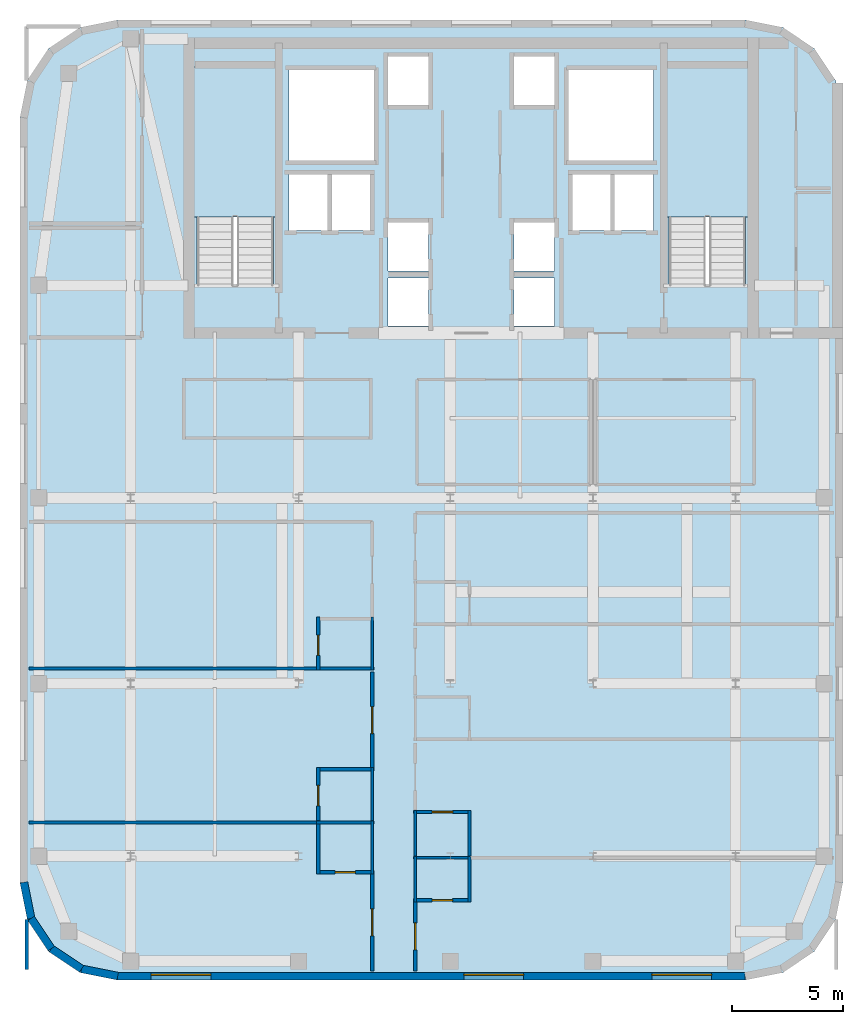
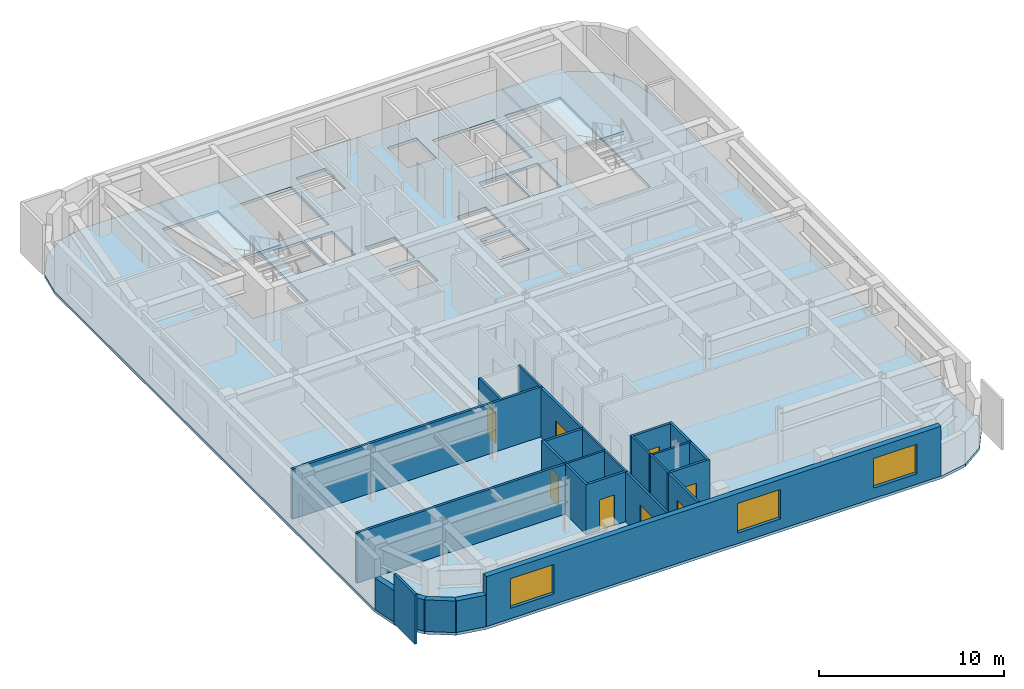
# One storey, part 3 of 8: 27 walls, 8 doors, 3 slabs, 3 windows, 11 openings, 2 elements without a shape of their own.
"""IFC4 building model written with IfcOpenShell, lengths in metres."""

from ifc_helpers import new_model, si_unit, direction, frame, frame_2d, origin, place, context, subcontext, project, spatial, polyline, rectangle, outline, extrude, source, transform, mapped, material, layer, layer_set, type_object, type_shapes, element, fill, aggregate, save


model = new_model("IFC4")

# Units and contexts
model_context = context("Model", 3, precision=1e-05, world=origin(), true_north=direction((0.0, 1.0)))
body_context = subcontext(model_context, "Body", "Model", "MODEL_VIEW")
ifc_project = project(units=[si_unit("LENGTHUNIT", "METRE"), si_unit("AREAUNIT", "SQUARE_METRE"), si_unit("VOLUMEUNIT", "CUBIC_METRE"), si_unit("PLANEANGLEUNIT", "RADIAN"), si_unit("MASSUNIT", "GRAM", prefix="KILO")], contexts=[model_context])

# Site, building, storey
site_placement = place(None, origin())
site = spatial("IfcSite", under=ifc_project, at=site_placement, CompositionType="ELEMENT")
building_placement = place(site_placement, origin())
building = spatial("IfcBuilding", under=site, at=building_placement, Name="Tolvann Quenvar Hotel", CompositionType="ELEMENT")
storey_placement = place(building_placement, frame((0.0, 0.0, 238.10009765625)))
storey = spatial("IfcBuildingStorey", under=building, at=storey_placement, Name="L63", CompositionType="ELEMENT", Elevation=238.10009765625)

# Stair, slab
ifc_material_1 = material(Name="Concrete N40 (40 MPa)", Category="concrete")
stair_type = type_object("IfcStairType", Name="STAIR", PredefinedType="HALF_TURN_STAIR", material=ifc_material_1)
stair_1_placement = place(storey_placement, origin())
stair_1 = element("IfcStair", 1, at=stair_1_placement, inside=storey, type_object=stair_type, Name="L63 ST-C1", PredefinedType="HALF_TURN_STAIR")
ifc_layer_1 = layer(ifc_material_1, 0.199951171875)
ifc_layer_set_1 = layer_set([ifc_layer_1], Name="Concrete N40 (40 MPa)")
slab_type_1 = type_object("IfcSlabType", Name="SLAB_LANDING", PredefinedType="LANDING", material=ifc_layer_set_1)
slab_1_placement = place(storey_placement, frame((0.0, 0.0, 1.574951171875)))
slab_1 = element("IfcSlab", 2, at=slab_1_placement, type_object=slab_type_1, Name="ST-C1 landing 1", PredefinedType="LANDING", context=body_context, shape_type="SweptSolid", body=[
    extrude(outline(polyline([(14.179931640625, 37.10498046875), (14.179931640625, 43.8798828125), (10.469970703125, 43.8798828125), (10.469970703125, 37.10498046875), (14.179931640625, 37.10498046875)])), origin(), (0.0, 0.0, 1.0), 0.199951171875),
])
aggregate(stair_1, [slab_1])

stair_2_placement = place(storey_placement, origin())
stair_2 = element("IfcStair", 3, at=stair_2_placement, inside=storey, type_object=stair_type, Name="L63 ST-C2", PredefinedType="HALF_TURN_STAIR")
slab_2_placement = place(storey_placement, frame((0.0, 0.0, 1.574951171875)))
slab_2 = element("IfcSlab", 4, at=slab_2_placement, type_object=slab_type_1, Name="ST-C2 landing 1", PredefinedType="LANDING", context=body_context, shape_type="SweptSolid", body=[
    extrude(outline(polyline([(35.530029296875, 37.10498046875), (35.530029296875, 43.8798828125), (31.820068359375, 43.8798828125), (31.820068359375, 37.10498046875), (35.530029296875, 37.10498046875)])), origin(), (0.0, 0.0, 1.0), 0.199951171875),
])
aggregate(stair_2, [slab_2])

# Slab
ifc_layer_2 = layer(ifc_material_1, 0.179931640625)
ifc_layer_set_2 = layer_set([ifc_layer_2], Name="Concrete N40 (40 MPa)")
slab_type_2 = type_object("IfcSlabType", Name="SLAB_TWR_180", PredefinedType="FLOOR", material=ifc_layer_set_2)
slab_3_placement = place(storey_placement, frame((0.0, 0.0, -0.18017578125)))
element("IfcSlab", 5, at=slab_3_placement, inside=storey, type_object=slab_type_2, Name="Level L63 Structural Floor Slab", PredefinedType="FLOOR", context=body_context, shape_type="SweptSolid", body=[
    extrude(outline(polyline([(2.60009765625, 7.0), (2.934814453125, 5.316162109375), (3.888671875, 3.888671875), (5.316162109375, 2.934814453125), (7.0, 2.60009765625), (35.39990234375, 2.60009765625), (37.083740234375, 2.934814453125), (38.51123046875, 3.888671875), (39.465087890625, 5.316162109375), (39.800048828125, 7.0), (39.800048828125, 41.60009765625), (39.465087890625, 43.28369140625), (38.51123046875, 44.711181640625), (37.083740234375, 45.6650390625), (35.39990234375, 46.0), (7.0, 46.0), (5.316162109375, 45.6650390625), (3.888671875, 44.711181640625), (2.934814453125, 43.28369140625), (2.60009765625, 41.60009765625), (2.60009765625, 7.0)]), holes=[polyline([(31.949951171875, 34.02490234375), (31.949951171875, 43.800048828125), (35.39990234375, 43.800048828125), (35.39990234375, 34.02490234375), (31.949951171875, 34.02490234375)]), polyline([(27.39990234375, 43.75), (31.25, 43.75), (31.25, 39.64990234375), (27.39990234375, 39.64990234375), (27.39990234375, 43.75)]), polyline([(29.449951171875, 39.02001953125), (31.25, 39.02001953125), (31.25, 36.47998046875), (29.449951171875, 36.47998046875), (29.449951171875, 39.02001953125)]), polyline([(27.574951171875, 39.02001953125), (29.324951171875, 39.02001953125), (29.324951171875, 36.47998046875), (27.574951171875, 36.47998046875), (27.574951171875, 39.02001953125)]), polyline([(24.929931640625, 36.840087890625), (26.77001953125, 36.840087890625), (26.77001953125, 34.659912109375), (24.929931640625, 34.659912109375), (24.929931640625, 36.840087890625)]), polyline([(24.929931640625, 44.340087890625), (26.77001953125, 44.340087890625), (26.77001953125, 42.159912109375), (24.929931640625, 42.159912109375), (24.929931640625, 44.340087890625)]), polyline([(24.929931640625, 32.159912109375), (24.929931640625, 34.340087890625), (26.77001953125, 34.340087890625), (26.77001953125, 32.159912109375), (24.929931640625, 32.159912109375)]), polyline([(19.22998046875, 36.840087890625), (21.070068359375, 36.840087890625), (21.070068359375, 34.659912109375), (19.22998046875, 34.659912109375), (19.22998046875, 36.840087890625)]), polyline([(19.22998046875, 44.340087890625), (21.070068359375, 44.340087890625), (21.070068359375, 42.159912109375), (19.22998046875, 42.159912109375), (19.22998046875, 44.340087890625)]), polyline([(19.22998046875, 32.159912109375), (19.22998046875, 34.340087890625), (21.070068359375, 34.340087890625), (21.070068359375, 32.159912109375), (19.22998046875, 32.159912109375)]), polyline([(14.75, 43.75), (18.60009765625, 43.75), (18.60009765625, 39.64990234375), (14.75, 39.64990234375), (14.75, 43.75)]), polyline([(16.675048828125, 39.02001953125), (18.425048828125, 39.02001953125), (18.425048828125, 36.47998046875), (16.675048828125, 36.47998046875), (16.675048828125, 39.02001953125)]), polyline([(14.75, 39.02001953125), (16.550048828125, 39.02001953125), (16.550048828125, 36.47998046875), (14.75, 36.47998046875), (14.75, 39.02001953125)]), polyline([(10.60009765625, 34.02490234375), (10.60009765625, 43.800048828125), (14.050048828125, 43.800048828125), (14.050048828125, 34.02490234375), (10.60009765625, 34.02490234375)])]), origin(), (0.0, 0.0, 1.0), 0.18017578125),
])

# Walls
ifc_material_2 = material(Name="Kiln-fired red and buff architectural clay brickwork and terracotta masonry", Category="masonry")
ifc_layer_3 = layer(ifc_material_2, 0.35009765625)
ifc_layer_set_3 = layer_set([ifc_layer_3], Name="Kiln-fired red and buff architectural clay brickwork and terracotta masonry")
wall_type_1 = type_object("IfcWallType", Name="WALL_EXT_BRICK_350", PredefinedType="SOLIDWALL", material=ifc_layer_set_3)
for number, where, z_axis, x_axis, name in (
    (6, (3.099609375, 5.384521484375, 0.0), (0.0, 0.0, 1.0), (0.555623290322, -0.831434158098, 0.0), "Exterior Chicago Brick Wall L63-E01"),
    (7, (4.014892578125, 4.014892578125, 0.0), (0.0, 0.0, 1.0), (0.831434158098, -0.555623290322, 0.0), "Exterior Chicago Brick Wall L63-E02"),
):
    element("IfcWall", number, at=place(storey_placement, frame(where, z_axis=z_axis, x_axis=x_axis)), inside=storey, type_object=wall_type_1, Name=name, PredefinedType="SOLIDWALL", context=body_context, shape_type="SweptSolid", body=[
        extrude(rectangle(XDim=1.647216796875, YDim=0.35009765625, at=frame_2d((0.82373046875, 0.0))), origin(), (0.0, 0.0, 1.0), 2.079833984375),
    ])
wall_1_placement = place(storey_placement, frame((5.384521484375, 3.099609375, 0.0), z_axis=(0.0, 0.0, 1.0), x_axis=(0.980788844421, -0.195072403631, 0.0)))
element("IfcWall", 8, at=wall_1_placement, inside=storey, type_object=wall_type_1, Name="Exterior Chicago Brick Wall L63-E03", PredefinedType="SOLIDWALL", context=body_context, shape_type="SweptSolid", body=[
    extrude(rectangle(XDim=1.66455078125, YDim=0.35009765625, at=frame_2d((0.832275390625, 0.0))), origin(), (0.0, 0.0, 1.0), 2.079833984375),
])

# Wall, openings, windows
wall_2_placement = place(storey_placement, frame((7.01708984375, 2.77490234375, 0.0), z_axis=(0.0, 0.0, 1.0), x_axis=(1.0, 0.0, 0.0)))
wall_2 = element("IfcWall", 9, at=wall_2_placement, inside=storey, type_object=wall_type_1, Name="Exterior Chicago Brick Wall L63-E04", PredefinedType="SOLIDWALL", context=body_context, shape_type="SweptSolid", body=[
    extrude(rectangle(XDim=28.36572265625, YDim=0.35009765625, at=frame_2d((14.182861328125, 0.0))), origin(), (0.0, 0.0, 1.0), 3.289794921875),
])
opening_1_placement = place(wall_2_placement, frame((1.513916015625, 0.0, 0.679931640625)))
opening_1 = element("IfcOpeningElement", 10, at=opening_1_placement, cuts=wall_2, Name="Opening W-04", PredefinedType="OPENING", context=body_context, shape_type="SweptSolid", body=[
    extrude(rectangle(XDim=2.699951171875, YDim=1.949951171875, at=frame_2d((1.35009765625, 0.97509765625))), frame((0.0, 0.18505859375, 0.0), z_axis=(0.0, -1.0, 0.0), x_axis=(1.0, 0.0, 0.0)), (0.0, 0.0, 1.0), 0.3701171875),
])
opening_2_placement = place(wall_2_placement, frame((15.64697265625, 0.0, 0.679931640625)))
opening_2 = element("IfcOpeningElement", 11, at=opening_2_placement, cuts=wall_2, Name="Opening W-04", PredefinedType="OPENING", context=body_context, shape_type="SweptSolid", body=[
    extrude(rectangle(XDim=2.699951171875, YDim=1.949951171875, at=frame_2d((1.35009765625, 0.97509765625))), frame((0.0, 0.18505859375, 0.0), z_axis=(0.0, -1.0, 0.0), x_axis=(1.0, 0.0, 0.0)), (0.0, 0.0, 1.0), 0.3701171875),
])
opening_3_placement = place(wall_2_placement, frame((24.152099609375, 0.0, 0.679931640625)))
opening_3 = element("IfcOpeningElement", 12, at=opening_3_placement, cuts=wall_2, Name="Opening W-04", PredefinedType="OPENING", context=body_context, shape_type="SweptSolid", body=[
    extrude(rectangle(XDim=2.699951171875, YDim=1.949951171875, at=frame_2d((1.35009765625, 0.97509765625))), frame((0.0, 0.18505859375, 0.0), z_axis=(0.0, -1.0, 0.0), x_axis=(1.0, 0.0, 0.0)), (0.0, 0.0, 1.0), 0.3701171875),
])
ifc_material_3 = material(Name="Thermally broken bronze-anodised aluminium frame with double low-E glazing", Category="aluminium")
window_type = type_object("IfcWindowType", Name="WIN_STE_2700x2150", PartitioningType="TRIPLE_PANEL_HORIZONTAL", PredefinedType="WINDOW", material=ifc_material_3)
shared_shape_1 = source(origin(), body_context, "Body", "SweptSolid", [
    extrude(rectangle(XDim=2.699951171875, YDim=1.949951171875, at=frame_2d((1.35009765625, 0.97509765625))), frame((0.0, 0.090087890625, 0.0), z_axis=(0.0, -1.0, 0.0), x_axis=(1.0, 0.0, 0.0)), (0.0, 0.0, 1.0), 0.06005859375),
])
type_shapes(window_type, [shared_shape_1])
window_1_placement = place(opening_1_placement, origin())
window_1 = element("IfcWindow", 13, at=window_1_placement, inside=storey, type_object=window_type, Name="Chicago Window W-04 (EW-L63-E04-W01)", OverallHeight=1.949951171875, OverallWidth=2.699951171875, PartitioningType="TRIPLE_PANEL_HORIZONTAL", PredefinedType="WINDOW", context=body_context, shape_type="MappedRepresentation", body=[
    mapped(shared_shape_1, transform((0.0, 0.0, 0.0), x_axis=(1.0, 0.0, 0.0), y_axis=(0.0, 1.0, 0.0), z_axis=(0.0, 0.0, 1.0), scale=1.0)),
])
fill(opening_1, window_1)
window_2_placement = place(opening_2_placement, origin())
window_2 = element("IfcWindow", 14, at=window_2_placement, inside=storey, type_object=window_type, Name="Chicago Window W-04 (EW-L63-E04-W02)", OverallHeight=1.949951171875, OverallWidth=2.699951171875, PartitioningType="TRIPLE_PANEL_HORIZONTAL", PredefinedType="WINDOW", context=body_context, shape_type="MappedRepresentation", body=[
    mapped(shared_shape_1, transform((0.0, 0.0, 0.0), x_axis=(1.0, 0.0, 0.0), y_axis=(0.0, 1.0, 0.0), z_axis=(0.0, 0.0, 1.0), scale=1.0)),
])
fill(opening_2, window_2)
window_3_placement = place(opening_3_placement, origin())
window_3 = element("IfcWindow", 15, at=window_3_placement, inside=storey, type_object=window_type, Name="Chicago Window W-04 (EW-L63-E04-W03)", OverallHeight=1.949951171875, OverallWidth=2.699951171875, PartitioningType="TRIPLE_PANEL_HORIZONTAL", PredefinedType="WINDOW", context=body_context, shape_type="MappedRepresentation", body=[
    mapped(shared_shape_1, transform((0.0, 0.0, 0.0), x_axis=(1.0, 0.0, 0.0), y_axis=(0.0, 1.0, 0.0), z_axis=(0.0, 0.0, 1.0), scale=1.0)),
])
fill(opening_3, window_3)

# Walls
wall_3_placement = place(storey_placement, frame((2.77490234375, 7.01708984375, 0.0), z_axis=(0.0, 0.0, 1.0), x_axis=(0.195072403631, -0.980788844421, 0.0)))
element("IfcWall", 16, at=wall_3_placement, inside=storey, type_object=wall_type_1, Name="Exterior Chicago Brick Wall L63-E20", PredefinedType="SOLIDWALL", context=body_context, shape_type="SweptSolid", body=[
    extrude(rectangle(XDim=1.66455078125, YDim=0.35009765625, at=frame_2d((0.832275390625, 0.0))), origin(), (0.0, 0.0, 1.0), 2.079833984375),
])
ifc_material_4 = material(Name="Moisture-resistant acoustic plumbing wall assembly")
ifc_layer_4 = layer(ifc_material_4, 0.1201171875)
ifc_layer_set_4 = layer_set([ifc_layer_4], Name="Moisture-resistant acoustic plumbing wall assembly")
wall_type_2 = type_object("IfcWallType", Name="WALL_PART_BATH_120", PredefinedType="PLUMBINGWALL", material=ifc_layer_set_4)
wall_4_placement = place(storey_placement, frame((16.010009765625, 9.719970703125, 0.0), z_axis=(0.0, 0.0, 1.0), x_axis=(1.0, 0.0, 0.0)))
element("IfcWall", 17, at=wall_4_placement, inside=storey, type_object=wall_type_2, Name="Non-Rated Plumbing Partition PT-SPC-L63-ENS-WO01-N", PredefinedType="PLUMBINGWALL", context=body_context, shape_type="SweptSolid", body=[
    extrude(rectangle(XDim=2.590087890625, YDim=0.1201171875, at=frame_2d((1.294921875, 0.0))), origin(), (0.0, 0.0, 1.0), 3.289794921875),
])
wall_5_placement = place(storey_placement, frame((18.530029296875, 7.39990234375, 0.0), z_axis=(0.0, 0.0, 1.0), x_axis=(0.0, 1.0, 0.0)))
element("IfcWall", 18, at=wall_5_placement, inside=storey, type_object=wall_type_2, Name="Non-Rated Plumbing Partition PT-SPC-L63-ENS-WO01-E", PredefinedType="PLUMBINGWALL", context=body_context, shape_type="SweptSolid", body=[
    extrude(rectangle(XDim=2.39013671875, YDim=0.1201171875, at=frame_2d((1.195068359375, 0.0))), origin(), (0.0, 0.0, 1.0), 3.289794921875),
])
for number, where, z_axis, x_axis, name in (
    (19, (18.530029296875, 9.81005859375, 0.0), (0.0, 0.0, 1.0), (0.0, 1.0, 0.0), "Non-Rated Plumbing Partition PT-SPC-L63-ENS-WO02-E"),
    (20, (18.530029296875, 16.610107421875, 0.0), (0.0, 0.0, 1.0), (0.0, 1.0, 0.0), "Non-Rated Plumbing Partition PT-SPC-L63-ENS-WO03-E"),
):
    element("IfcWall", number, at=place(storey_placement, frame(where, z_axis=z_axis, x_axis=x_axis)), inside=storey, type_object=wall_type_2, Name=name, PredefinedType="PLUMBINGWALL", context=body_context, shape_type="SweptSolid", body=[
        extrude(rectangle(XDim=2.389892578125, YDim=0.1201171875, at=frame_2d((1.19482421875, 0.0))), origin(), (0.0, 0.0, 1.0), 3.289794921875),
    ])
wall_6_placement = place(storey_placement, frame((20.39990234375, 8.1201171875, 0.0), z_axis=(0.0, 0.0, 1.0), x_axis=(1.0, 0.0, 0.0)))
element("IfcWall", 21, at=wall_6_placement, inside=storey, type_object=wall_type_2, Name="Non-Rated Plumbing Partition PT-SPC-L63-ENS-EO01-N", PredefinedType="PLUMBINGWALL", context=body_context, shape_type="SweptSolid", body=[
    extrude(rectangle(XDim=2.590087890625, YDim=0.1201171875, at=frame_2d((1.294921875, 0.0))), origin(), (0.0, 0.0, 1.0), 3.289794921875),
])
for number, where, z_axis, x_axis, name in (
    (22, (20.469970703125, 6.135009765625, 0.0), (0.0, 0.0, 1.0), (0.0, 1.0, 0.0), "Non-Rated Plumbing Partition PT-SPC-L63-ENS-EO01-W"),
    (23, (20.469970703125, 8.2099609375, 0.0), (0.0, 0.0, 1.0), (0.0, 1.0, 0.0), "Non-Rated Plumbing Partition PT-SPC-L63-ENS-EO02-W"),
):
    element("IfcWall", number, at=place(storey_placement, frame(where, z_axis=z_axis, x_axis=x_axis)), inside=storey, type_object=wall_type_2, Name=name, PredefinedType="PLUMBINGWALL", context=body_context, shape_type="SweptSolid", body=[
        extrude(rectangle(XDim=2.054931640625, YDim=0.1201171875, at=frame_2d((1.02734375, 0.0))), origin(), (0.0, 0.0, 1.0), 3.289794921875),
    ])
ifc_material_5 = material(Name="Acoustic twin-stud fire-rated gypsum plasterboard partition")
ifc_layer_5 = layer(ifc_material_5, 0.14990234375)
ifc_layer_set_5 = layer_set([ifc_layer_5], Name="Acoustic twin-stud fire-rated gypsum plasterboard partition")
wall_type_3 = type_object("IfcWallType", Name="WALL_PART_SUITE_150", PredefinedType="PARTITIONING", material=ifc_layer_set_5)
wall_7_placement = place(storey_placement, frame((16.080078125, 7.39990234375, 0.0), z_axis=(0.0, 0.0, 1.0), x_axis=(0.0, 1.0, 0.0)))
element("IfcWall", 24, at=wall_7_placement, inside=storey, type_object=wall_type_3, Name="Interior Partition PT-SPC-L63-ENS-WO01-ENT", PredefinedType="PARTITIONING", context=body_context, shape_type="SweptSolid", body=[
    extrude(rectangle(XDim=2.39013671875, YDim=0.14990234375, at=frame_2d((1.195068359375, 0.0))), origin(), (0.0, 0.0, 1.0), 3.289794921875),
])

# Wall, opening, door
wall_8_placement = place(storey_placement, frame((16.010009765625, 7.469970703125, 0.0), z_axis=(0.0, 0.0, 1.0), x_axis=(1.0, 0.0, 0.0)))
wall_8 = element("IfcWall", 25, at=wall_8_placement, inside=storey, type_object=wall_type_3, Name="Interior Partition PT-SPC-L63-ENS-WO01-S", PredefinedType="PARTITIONING", context=body_context, shape_type="SweptSolid", body=[
    extrude(rectangle(XDim=2.590087890625, YDim=0.14990234375, at=frame_2d((1.294921875, 0.0))), origin(), (0.0, 0.0, 1.0), 3.289794921875),
])
opening_4_placement = place(wall_8_placement, frame((0.8349609375, 0.0, 0.0)))
opening_4 = element("IfcOpeningElement", 26, at=opening_4_placement, cuts=wall_8, Name="Opening WD-01", PredefinedType="OPENING", context=body_context, shape_type="SweptSolid", body=[
    extrude(rectangle(XDim=0.919921875, YDim=2.010009765625, at=frame_2d((0.4599609375, 1.0048828125))), frame((0.0, 0.0849609375, 0.0), z_axis=(0.0, -1.0, 0.0), x_axis=(1.0, 0.0, 0.0)), (0.0, 0.0, 1.0), 0.169921875),
])
ifc_material_6 = material(Name="Solid-core American oak acoustic fire door leaf in steel frame", Category="steel")
door_type_1 = type_object("IfcDoorType", Name="DOOR_WC_920", OperationType="NOTDEFINED", PredefinedType="DOOR", material=ifc_material_6)
shared_shape_2 = source(origin(), body_context, "Body", "SweptSolid", [
    extrude(rectangle(XDim=0.919921875, YDim=2.010009765625, at=frame_2d((0.4599609375, 1.0048828125))), frame((0.0, 0.02490234375, 0.0), z_axis=(0.0, -1.0, 0.0), x_axis=(1.0, 0.0, 0.0)), (0.0, 0.0, 1.0), 0.050048828125),
])
type_shapes(door_type_1, [shared_shape_2])
door_1_placement = place(opening_4_placement, origin())
door_1 = element("IfcDoor", 27, at=door_1_placement, inside=storey, type_object=door_type_1, Name="Interior Door DOOR-SPC-L63-ENS-WO01", OperationType="SINGLE_SWING_RIGHT", OverallHeight=2.010009765625, OverallWidth=0.919921875, PredefinedType="DOOR", context=body_context, shape_type="MappedRepresentation", body=[
    mapped(shared_shape_2, transform((0.0, 0.0, 0.0), x_axis=(1.0, 0.0, 0.0), y_axis=(0.0, 1.0, 0.0), z_axis=(0.0, 0.0, 1.0), scale=1.0)),
])
fill(opening_4, door_1)

wall_9_placement = place(storey_placement, frame((16.080078125, 9.81005859375, 0.0), z_axis=(0.0, 0.0, 1.0), x_axis=(0.0, 1.0, 0.0)))
wall_9 = element("IfcWall", 28, at=wall_9_placement, inside=storey, type_object=wall_type_3, Name="Interior Partition PT-SPC-L63-ENS-WO02-ENT", PredefinedType="PARTITIONING", context=body_context, shape_type="SweptSolid", body=[
    extrude(rectangle(XDim=2.389892578125, YDim=0.14990234375, at=frame_2d((1.19482421875, 0.0))), origin(), (0.0, 0.0, 1.0), 3.289794921875),
])
opening_5_placement = place(wall_9_placement, frame((0.6650390625, 0.0, 0.0)))
opening_5 = element("IfcOpeningElement", 29, at=opening_5_placement, cuts=wall_9, Name="Opening WD-01", PredefinedType="OPENING", context=body_context, shape_type="SweptSolid", body=[
    extrude(rectangle(XDim=0.919921875, YDim=2.010009765625, at=frame_2d((0.4599609375, 1.0048828125))), frame((0.0, 0.0849609375, 0.0), z_axis=(0.0, -1.0, 0.0), x_axis=(1.0, 0.0, 0.0)), (0.0, 0.0, 1.0), 0.169921875),
])
door_2_placement = place(opening_5_placement, origin())
door_2 = element("IfcDoor", 30, at=door_2_placement, inside=storey, type_object=door_type_1, Name="Interior Door DOOR-SPC-L63-ENS-WO02", OperationType="SINGLE_SWING_LEFT", OverallHeight=2.010009765625, OverallWidth=0.919921875, PredefinedType="DOOR", context=body_context, shape_type="MappedRepresentation", body=[
    mapped(shared_shape_2, transform((0.0, 0.0, 0.0), x_axis=(1.0, 0.0, 0.0), y_axis=(0.0, 1.0, 0.0), z_axis=(0.0, 0.0, 1.0), scale=1.0)),
])
fill(opening_5, door_2)

# Wall
wall_10_placement = place(storey_placement, frame((16.010009765625, 12.1298828125, 0.0), z_axis=(0.0, 0.0, 1.0), x_axis=(1.0, 0.0, 0.0)))
element("IfcWall", 31, at=wall_10_placement, inside=storey, type_object=wall_type_3, Name="Interior Partition PT-SPC-L63-ENS-WO02-N", PredefinedType="PARTITIONING", context=body_context, shape_type="SweptSolid", body=[
    extrude(rectangle(XDim=2.590087890625, YDim=0.14990234375, at=frame_2d((1.294921875, 0.0))), origin(), (0.0, 0.0, 1.0), 3.289794921875),
])

# Wall, opening, door
wall_11_placement = place(storey_placement, frame((16.080078125, 16.610107421875, 0.0), z_axis=(0.0, 0.0, 1.0), x_axis=(0.0, 1.0, 0.0)))
wall_11 = element("IfcWall", 32, at=wall_11_placement, inside=storey, type_object=wall_type_3, Name="Interior Partition PT-SPC-L63-ENS-WO03-ENT", PredefinedType="PARTITIONING", context=body_context, shape_type="SweptSolid", body=[
    extrude(rectangle(XDim=2.389892578125, YDim=0.14990234375, at=frame_2d((1.19482421875, 0.0))), origin(), (0.0, 0.0, 1.0), 3.289794921875),
])
opening_6_placement = place(wall_11_placement, frame((0.6650390625, 0.0, 0.0)))
opening_6 = element("IfcOpeningElement", 33, at=opening_6_placement, cuts=wall_11, Name="Opening WD-01", PredefinedType="OPENING", context=body_context, shape_type="SweptSolid", body=[
    extrude(rectangle(XDim=0.919921875, YDim=2.010009765625, at=frame_2d((0.4599609375, 1.0048828125))), frame((0.0, 0.0849609375, 0.0), z_axis=(0.0, -1.0, 0.0), x_axis=(1.0, 0.0, 0.0)), (0.0, 0.0, 1.0), 0.169921875),
])
door_3_placement = place(opening_6_placement, origin())
door_3 = element("IfcDoor", 34, at=door_3_placement, inside=storey, type_object=door_type_1, Name="Interior Door DOOR-SPC-L63-ENS-WO03", OperationType="SINGLE_SWING_RIGHT", OverallHeight=2.010009765625, OverallWidth=0.919921875, PredefinedType="DOOR", context=body_context, shape_type="MappedRepresentation", body=[
    mapped(shared_shape_2, transform((0.0, 0.0, 0.0), x_axis=(1.0, 0.0, 0.0), y_axis=(0.0, 1.0, 0.0), z_axis=(0.0, 0.0, 1.0), scale=1.0)),
])
fill(opening_6, door_3)

# Walls
wall_12_placement = place(storey_placement, frame((3.0048828125, 16.679931640625, 0.0), z_axis=(0.0, 0.0, 1.0), x_axis=(1.0, 0.0, 0.0)))
element("IfcWall", 35, at=wall_12_placement, inside=storey, type_object=wall_type_3, Name="Interior Partition PT-SPC-L63-ENS-WO03-S", PredefinedType="PARTITIONING", context=body_context, shape_type="SweptSolid", body=[
    extrude(rectangle(XDim=15.59521484375, YDim=0.14990234375, at=frame_2d((7.797607421875, 0.0))), origin(), (0.0, 0.0, 1.0), 3.289794921875),
])
wall_13_placement = place(storey_placement, frame((22.919921875, 6.135009765625, 0.0), z_axis=(0.0, 0.0, 1.0), x_axis=(0.0, 1.0, 0.0)))
element("IfcWall", 36, at=wall_13_placement, inside=storey, type_object=wall_type_3, Name="Interior Partition PT-SPC-L63-ENS-EO01-ENT", PredefinedType="PARTITIONING", context=body_context, shape_type="SweptSolid", body=[
    extrude(rectangle(XDim=2.054931640625, YDim=0.14990234375, at=frame_2d((1.02734375, 0.0))), origin(), (0.0, 0.0, 1.0), 3.289794921875),
])

# Wall, opening, door
wall_14_placement = place(storey_placement, frame((20.39990234375, 6.205078125, 0.0), z_axis=(0.0, 0.0, 1.0), x_axis=(1.0, 0.0, 0.0)))
wall_14 = element("IfcWall", 37, at=wall_14_placement, inside=storey, type_object=wall_type_3, Name="Interior Partition PT-SPC-L63-ENS-EO01-S", PredefinedType="PARTITIONING", context=body_context, shape_type="SweptSolid", body=[
    extrude(rectangle(XDim=2.590087890625, YDim=0.14990234375, at=frame_2d((1.294921875, 0.0))), origin(), (0.0, 0.0, 1.0), 3.289794921875),
])
opening_7_placement = place(wall_14_placement, frame((0.8349609375, 0.0, 0.0)))
opening_7 = element("IfcOpeningElement", 38, at=opening_7_placement, cuts=wall_14, Name="Opening WD-01", PredefinedType="OPENING", context=body_context, shape_type="SweptSolid", body=[
    extrude(rectangle(XDim=0.919921875, YDim=2.010009765625, at=frame_2d((0.4599609375, 1.0048828125))), frame((0.0, 0.0849609375, 0.0), z_axis=(0.0, -1.0, 0.0), x_axis=(1.0, 0.0, 0.0)), (0.0, 0.0, 1.0), 0.169921875),
])
door_4_placement = place(opening_7_placement, origin())
door_4 = element("IfcDoor", 39, at=door_4_placement, inside=storey, type_object=door_type_1, Name="Interior Door DOOR-SPC-L63-ENS-EO01", OperationType="SINGLE_SWING_LEFT", OverallHeight=2.010009765625, OverallWidth=0.919921875, PredefinedType="DOOR", context=body_context, shape_type="MappedRepresentation", body=[
    mapped(shared_shape_2, transform((0.0, 0.0, 0.0), x_axis=(1.0, 0.0, 0.0), y_axis=(0.0, 1.0, 0.0), z_axis=(0.0, 0.0, 1.0), scale=1.0)),
])
fill(opening_7, door_4)

# Wall
wall_15_placement = place(storey_placement, frame((22.919921875, 8.2099609375, 0.0), z_axis=(0.0, 0.0, 1.0), x_axis=(0.0, 1.0, 0.0)))
element("IfcWall", 40, at=wall_15_placement, inside=storey, type_object=wall_type_3, Name="Interior Partition PT-SPC-L63-ENS-EO02-ENT", PredefinedType="PARTITIONING", context=body_context, shape_type="SweptSolid", body=[
    extrude(rectangle(XDim=2.054931640625, YDim=0.14990234375, at=frame_2d((1.02734375, 0.0))), origin(), (0.0, 0.0, 1.0), 3.289794921875),
])

# Wall, opening, door
wall_16_placement = place(storey_placement, frame((20.39990234375, 10.195068359375, 0.0), z_axis=(0.0, 0.0, 1.0), x_axis=(1.0, 0.0, 0.0)))
wall_16 = element("IfcWall", 41, at=wall_16_placement, inside=storey, type_object=wall_type_3, Name="Interior Partition PT-SPC-L63-ENS-EO02-N", PredefinedType="PARTITIONING", context=body_context, shape_type="SweptSolid", body=[
    extrude(rectangle(XDim=2.590087890625, YDim=0.14990234375, at=frame_2d((1.294921875, 0.0))), origin(), (0.0, 0.0, 1.0), 3.289794921875),
])
opening_8_placement = place(wall_16_placement, frame((0.8349609375, 0.0, 0.0)))
opening_8 = element("IfcOpeningElement", 42, at=opening_8_placement, cuts=wall_16, Name="Opening WD-01", PredefinedType="OPENING", context=body_context, shape_type="SweptSolid", body=[
    extrude(rectangle(XDim=0.919921875, YDim=2.010009765625, at=frame_2d((0.4599609375, 1.0048828125))), frame((0.0, 0.0849609375, 0.0), z_axis=(0.0, -1.0, 0.0), x_axis=(1.0, 0.0, 0.0)), (0.0, 0.0, 1.0), 0.169921875),
])
door_5_placement = place(opening_8_placement, origin())
door_5 = element("IfcDoor", 43, at=door_5_placement, inside=storey, type_object=door_type_1, Name="Interior Door DOOR-SPC-L63-ENS-EO02", OperationType="SINGLE_SWING_RIGHT", OverallHeight=2.010009765625, OverallWidth=0.919921875, PredefinedType="DOOR", context=body_context, shape_type="MappedRepresentation", body=[
    mapped(shared_shape_2, transform((0.0, 0.0, 0.0), x_axis=(1.0, 0.0, 0.0), y_axis=(0.0, 1.0, 0.0), z_axis=(0.0, 0.0, 1.0), scale=1.0)),
])
fill(opening_8, door_5)

wall_17_placement = place(storey_placement, frame((18.530029296875, 3.0048828125, 0.0), z_axis=(0.0, 0.0, 1.0), x_axis=(0.0, 1.0, 0.0)))
wall_17 = element("IfcWall", 44, at=wall_17_placement, inside=storey, type_object=wall_type_3, Name="Interior Partition PT-SPC-L63-RM-WO01-ENT", PredefinedType="PARTITIONING", context=body_context, shape_type="SweptSolid", body=[
    extrude(rectangle(XDim=4.385009765625, YDim=0.14990234375, at=frame_2d((2.1923828125, 0.0))), origin(), (0.0, 0.0, 1.0), 3.289794921875),
])
opening_9_placement = place(wall_17_placement, frame((1.590087890625, 0.0, 0.0)))
opening_9 = element("IfcOpeningElement", 45, at=opening_9_placement, cuts=wall_17, Name="Opening SD-02", PredefinedType="OPENING", context=body_context, shape_type="SweptSolid", body=[
    extrude(rectangle(XDim=1.219970703125, YDim=2.080078125, at=frame_2d((0.60986328125, 1.0400390625))), frame((0.0, 0.0849609375, 0.0), z_axis=(0.0, -1.0, 0.0), x_axis=(1.0, 0.0, 0.0)), (0.0, 0.0, 1.0), 0.169921875),
])
door_type_2 = type_object("IfcDoorType", Name="DOOR_VIP_1220", OperationType="NOTDEFINED", PredefinedType="DOOR", material=ifc_material_6)
shared_shape_3 = source(origin(), body_context, "Body", "SweptSolid", [
    extrude(rectangle(XDim=1.219970703125, YDim=2.080078125, at=frame_2d((0.60986328125, 1.0400390625))), frame((0.0, 0.02490234375, 0.0), z_axis=(0.0, -1.0, 0.0), x_axis=(1.0, 0.0, 0.0)), (0.0, 0.0, 1.0), 0.050048828125),
])
type_shapes(door_type_2, [shared_shape_3])
door_6_placement = place(opening_9_placement, origin())
door_6 = element("IfcDoor", 46, at=door_6_placement, inside=storey, type_object=door_type_2, Name="Interior Door DOOR-SPC-L63-RM-WO01", OperationType="SINGLE_SWING_LEFT", OverallHeight=2.080078125, OverallWidth=1.219970703125, PredefinedType="DOOR", context=body_context, shape_type="MappedRepresentation", body=[
    mapped(shared_shape_3, transform((0.0, 0.0, 0.0), x_axis=(1.0, 0.0, 0.0), y_axis=(0.0, 1.0, 0.0), z_axis=(0.0, 0.0, 1.0), scale=1.0)),
])
fill(opening_9, door_6)

# Walls
wall_18_placement = place(storey_placement, frame((3.0048828125, 9.719970703125, 0.0), z_axis=(0.0, 0.0, 1.0), x_axis=(1.0, 0.0, 0.0)))
element("IfcWall", 47, at=wall_18_placement, inside=storey, type_object=wall_type_3, Name="Interior Partition PT-SPC-L63-RM-WO01-E5", PredefinedType="PARTITIONING", context=body_context, shape_type="SweptSolid", body=[
    extrude(rectangle(XDim=13.05517578125, YDim=0.14990234375, at=frame_2d((6.527587890625, 0.0))), origin(), (0.0, 0.0, 1.0), 3.289794921875),
])
wall_19_placement = place(storey_placement, frame((2.89990234375, 3.080078125, 0.0), z_axis=(0.0, 0.0, 1.0), x_axis=(0.0, 1.0, 0.0)))
element("IfcWall", 48, at=wall_19_placement, inside=storey, type_object=wall_type_3, Name="Interior Partition PT-SPC-L63-RM-WO01-E6", PredefinedType="PARTITIONING", context=body_context, shape_type="SweptSolid", body=[
    extrude(rectangle(XDim=2.264892578125, YDim=0.14990234375, at=frame_2d((1.13232421875, 0.0))), origin(), (0.0, 0.0, 1.0), 3.289794921875),
])

# Wall, opening, door
wall_20_placement = place(storey_placement, frame((18.530029296875, 12.2099609375, 0.0), z_axis=(0.0, 0.0, 1.0), x_axis=(0.0, 1.0, 0.0)))
wall_20 = element("IfcWall", 49, at=wall_20_placement, inside=storey, type_object=wall_type_3, Name="Interior Partition PT-SPC-L63-RM-WO02-ENT", PredefinedType="PARTITIONING", context=body_context, shape_type="SweptSolid", body=[
    extrude(rectangle(XDim=4.31005859375, YDim=0.14990234375, at=frame_2d((2.155029296875, 0.0))), origin(), (0.0, 0.0, 1.0), 3.289794921875),
])
opening_10_placement = place(wall_20_placement, frame((1.52490234375, 0.0, 0.0)))
opening_10 = element("IfcOpeningElement", 50, at=opening_10_placement, cuts=wall_20, Name="Opening SD-02", PredefinedType="OPENING", context=body_context, shape_type="SweptSolid", body=[
    extrude(rectangle(XDim=1.219970703125, YDim=2.080078125, at=frame_2d((0.60986328125, 1.0400390625))), frame((0.0, 0.0849609375, 0.0), z_axis=(0.0, -1.0, 0.0), x_axis=(1.0, 0.0, 0.0)), (0.0, 0.0, 1.0), 0.169921875),
])
door_7_placement = place(opening_10_placement, origin())
door_7 = element("IfcDoor", 51, at=door_7_placement, inside=storey, type_object=door_type_2, Name="Interior Door DOOR-SPC-L63-RM-WO02", OperationType="SINGLE_SWING_RIGHT", OverallHeight=2.080078125, OverallWidth=1.219970703125, PredefinedType="DOOR", context=body_context, shape_type="MappedRepresentation", body=[
    mapped(shared_shape_3, transform((0.0, 0.0, 0.0), x_axis=(1.0, 0.0, 0.0), y_axis=(0.0, 1.0, 0.0), z_axis=(0.0, 0.0, 1.0), scale=1.0)),
])
fill(opening_10, door_7)

wall_21_placement = place(storey_placement, frame((20.469970703125, 3.0048828125, 0.0), z_axis=(0.0, 0.0, 1.0), x_axis=(0.0, 1.0, 0.0)))
wall_21 = element("IfcWall", 52, at=wall_21_placement, inside=storey, type_object=wall_type_3, Name="Interior Partition PT-SPC-L63-RM-EO01-ENT", PredefinedType="PARTITIONING", context=body_context, shape_type="SweptSolid", body=[
    extrude(rectangle(XDim=3.1201171875, YDim=0.14990234375, at=frame_2d((1.56005859375, 0.0))), origin(), (0.0, 0.0, 1.0), 3.289794921875),
])
opening_11_placement = place(wall_21_placement, frame((0.95751953125, 0.0, 0.0)))
opening_11 = element("IfcOpeningElement", 53, at=opening_11_placement, cuts=wall_21, Name="Opening SD-02", PredefinedType="OPENING", context=body_context, shape_type="SweptSolid", body=[
    extrude(rectangle(XDim=1.219970703125, YDim=2.080078125, at=frame_2d((0.60986328125, 1.0400390625))), frame((0.0, 0.0849609375, 0.0), z_axis=(0.0, -1.0, 0.0), x_axis=(1.0, 0.0, 0.0)), (0.0, 0.0, 1.0), 0.169921875),
])
door_8_placement = place(opening_11_placement, origin())
door_8 = element("IfcDoor", 54, at=door_8_placement, inside=storey, type_object=door_type_2, Name="Interior Door DOOR-SPC-L63-RM-EO01", OperationType="SINGLE_SWING_RIGHT", OverallHeight=2.080078125, OverallWidth=1.219970703125, PredefinedType="DOOR", context=body_context, shape_type="MappedRepresentation", body=[
    mapped(shared_shape_3, transform((0.0, 0.0, 0.0), x_axis=(1.0, 0.0, 0.0), y_axis=(0.0, 1.0, 0.0), z_axis=(0.0, 0.0, 1.0), scale=1.0)),
])
fill(opening_11, door_8)

save(model, "model.ifc")
